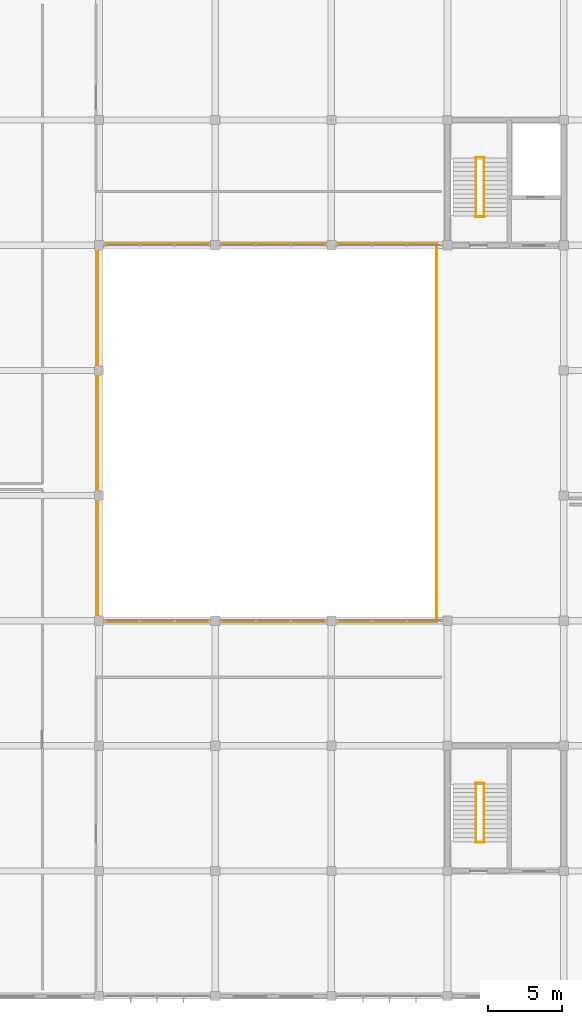
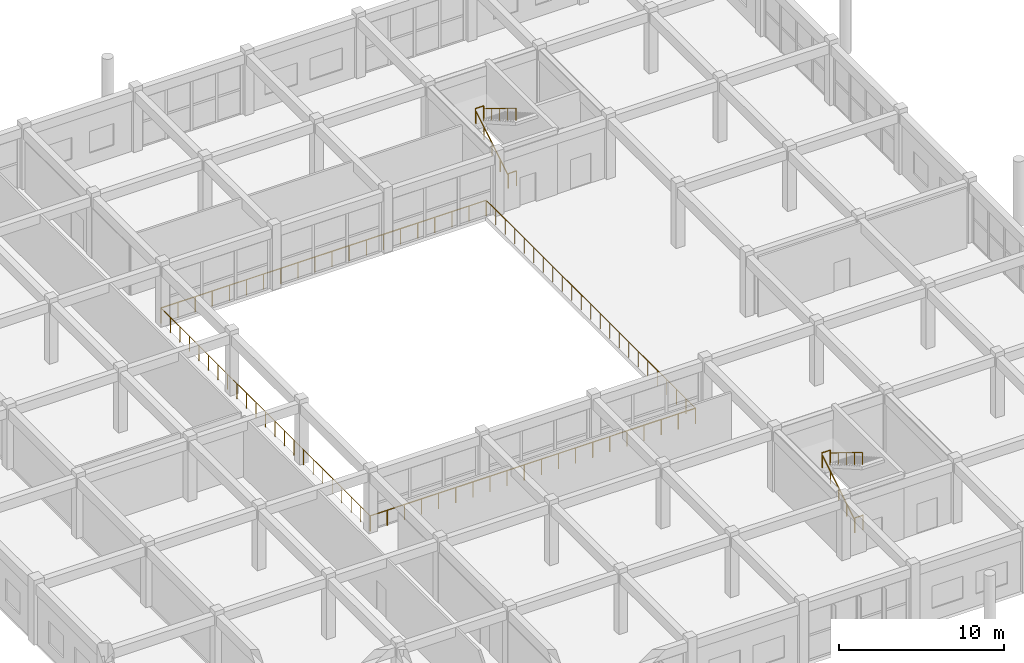
# One storey, part 167 of 167: 12 railings.
"""IFC4 building model written with IfcOpenShell, lengths in metres."""

import ifcopenshell
import ifcopenshell.guid

model = None  # the IFC model being written
_history = None  # IfcOwnerHistory: only IFC2X3 demands one
_inside = {}  # id of a spatial element -> (the spatial element, [elements in it])
_under = {}  # id of a project, library or spatial element -> (it, [spatial elements below it])
_declared = {}  # id of a project -> (the project, [libraries it declares])
_typed = {}  # id of a type object -> (the type object, [elements of that type])
_made_of = {}  # id of a material, layer set ... -> (it, [elements and type objects made of it])


def new_model(schema):
    """Start an empty IFC model of exactly this schema.

    Asked for "IFC4X3", IfcOpenShell would pick the latest addendum, in which some entities
    have other attributes; the version numbers below select the first issue.
    IFC2X3 requires an IfcOwnerHistory on every rooted entity: one is made here for all.
    """
    global model, _history
    if schema == "IFC4X3":
        model = ifcopenshell.file(schema_version=(4, 3, 0, 0))
    else:
        model = ifcopenshell.file(schema=schema)
    _inside.clear()
    _under.clear()
    _declared.clear()
    _typed.clear()
    _made_of.clear()
    _history = None
    if model.schema == "IFC2X3":
        org = make("IfcOrganization", Name="unknown")
        user = make(
            "IfcPersonAndOrganization",
            ThePerson=make("IfcPerson", FamilyName="unknown"),
            TheOrganization=org,
        )
        app = make(
            "IfcApplication",
            ApplicationDeveloper=org,
            Version="unknown",
            ApplicationFullName="unknown",
            ApplicationIdentifier="unknown",
        )
        _history = make(
            "IfcOwnerHistory",
            OwningUser=user,
            OwningApplication=app,
            ChangeAction="ADDED",
            CreationDate=0,
        )
    return model


def make(cls, **values):
    """One entity of the class cls with the attributes given. An attribute that is None is left unset."""
    return model.create_entity(
        cls, **{name: value for name, value in values.items() if value is not None}
    )


def rooted(cls, **values):
    """An entity with a GlobalId (a new one), such as an element, a storey or a relation."""
    return make(cls, GlobalId=ifcopenshell.guid.new(), OwnerHistory=_history, **values)


def si_unit(unit_type, name, prefix=None):
    """IfcSIUnit, for example si_unit("LENGTHUNIT", "METRE", prefix="MILLI")."""
    return make("IfcSIUnit", UnitType=unit_type, Prefix=prefix, Name=name)


def assignment(units):
    """IfcUnitAssignment: the units of a project."""
    return None if units is None else make("IfcUnitAssignment", Units=units)


def point(xyz):
    """IfcCartesianPoint."""
    return None if xyz is None else make("IfcCartesianPoint", Coordinates=xyz)


def direction(xyz):
    """IfcDirection."""
    return None if xyz is None else make("IfcDirection", DirectionRatios=xyz)


def frame(location, z_axis=None, x_axis=None):
    """IfcAxis2Placement3D, a coordinate frame: its origin and axes. An axis left out is left unset."""
    return make(
        "IfcAxis2Placement3D",
        Location=point(location),
        Axis=direction(z_axis),
        RefDirection=direction(x_axis),
    )


def frame_2d(location, x_axis=None):
    """IfcAxis2Placement2D, a coordinate frame in the plane: its origin and x axis."""
    return make(
        "IfcAxis2Placement2D", Location=point(location), RefDirection=direction(x_axis)
    )


def origin():
    """The frame at (0, 0, 0) with its axes left unset."""
    return frame((0.0, 0.0, 0.0))


def origin_2d():
    """The frame at (0, 0) in the plane with its x axis left unset."""
    return frame_2d((0.0, 0.0))


def place(relative_to, where):
    """IfcLocalPlacement: puts the frame where relative to a parent placement (None: the world)."""
    return make(
        "IfcLocalPlacement", PlacementRelTo=relative_to, RelativePlacement=where
    )


def context(
    kind, dimensions, precision=None, world=None, true_north=None, identifier=None
):
    """IfcGeometricRepresentationContext, for example the 3D "Model" context."""
    return make(
        "IfcGeometricRepresentationContext",
        ContextIdentifier=identifier,
        ContextType=kind,
        CoordinateSpaceDimension=dimensions,
        Precision=precision,
        WorldCoordinateSystem=world,
        TrueNorth=true_north,
    )


def subcontext(parent, identifier, kind, view, scale=None):
    """IfcGeometricRepresentationSubContext, for example "Body" below "Model"."""
    return make(
        "IfcGeometricRepresentationSubContext",
        ContextIdentifier=identifier,
        ContextType=kind,
        ParentContext=parent,
        TargetScale=scale,
        TargetView=view,
    )


def project(units=None, contexts=None):
    """IfcProject with its units and contexts."""
    return rooted(
        "IfcProject",
        Name="project",
        RepresentationContexts=contexts,
        UnitsInContext=assignment(units),
    )


def spatial(cls, under=None, at=None, **own):
    """A site, building, storey or space (cls), placed at a placement, below another one or the project."""
    s = rooted(cls, ObjectPlacement=at, **own)
    if under is not None:
        _under.setdefault(under.id(), (under, []))[1].append(s)
    return s


def profile(cls, at=None, kind="AREA", **sizes):
    """A parametric profile (cls). Its sizes go by their IFC names, for example OverallWidth=200.0."""
    return make(cls, ProfileType=kind, Position=at, **sizes)


def hollow_rectangle(**sizes):
    """IfcRectangleHollowProfileDef."""
    return profile("IfcRectangleHollowProfileDef", **sizes)


def circle(**sizes):
    """IfcCircleProfileDef."""
    return profile("IfcCircleProfileDef", **sizes)


def hollow_circle(**sizes):
    """IfcCircleHollowProfileDef."""
    return profile("IfcCircleHollowProfileDef", **sizes)


def extrude(swept, where, along, depth):
    """IfcExtrudedAreaSolid: the profile swept, set in the frame where, extruded along a direction by depth."""
    return make(
        "IfcExtrudedAreaSolid",
        SweptArea=swept,
        Position=where,
        ExtrudedDirection=direction(along),
        Depth=depth,
    )


def shape(context_of_items, identifier, shape_type, items):
    """IfcShapeRepresentation: the items that make up one representation, for example the "Body"."""
    return make(
        "IfcShapeRepresentation",
        ContextOfItems=context_of_items,
        RepresentationIdentifier=identifier,
        RepresentationType=shape_type,
        Items=items,
    )


def material(Name=None, Category=None):
    """IfcMaterial."""
    return make("IfcMaterial", Name=Name, Category=Category)


def material_profile(
    of_material, cross_section, Name=None, Category=None, Priority=None
):
    """IfcMaterialProfile: a cross section and its material."""
    return make(
        "IfcMaterialProfile",
        Name=Name,
        Material=of_material,
        Profile=cross_section,
        Priority=Priority,
        Category=Category,
    )


def profile_set(profiles, Name=None, composite=None):
    """IfcMaterialProfileSet."""
    return make(
        "IfcMaterialProfileSet",
        Name=Name,
        MaterialProfiles=profiles,
        CompositeProfile=composite,
    )


def made_of(thing, what):
    """Note that an element or type object is made of a material, layer set ...; save() writes the relation."""
    if what is not None:
        _made_of.setdefault(what.id(), (what, []))[1].append(thing)
    return thing


def type_object(cls, material=None, **own):
    """A type object (cls), such as IfcWallType, which elements share."""
    return made_of(rooted(cls, **own), material)


def element(
    cls,
    number,
    at=None,
    inside=None,
    cuts=None,
    type_object=None,
    material=None,
    context=None,
    identifier="Body",
    shape_type=None,
    held_by="IfcProductDefinitionShape",
    body=None,
    shapes=None,
    **own,
):
    """One element of the class cls, such as IfcWall. Its Tag is "e" and its number.

    at: its placement. inside: the storey or other place that contains it. cuts: it is an
    opening in that element (IfcRelVoidsElement). A single representation is given by context,
    identifier, shape_type and body (its items); several are given by shapes. held_by: the class
    of the entity that holds the representations. save() writes the other relations.
    """
    e = rooted(cls, Tag="e%d" % number, ObjectPlacement=at, **own)
    if body is not None:
        shapes = [shape(context, identifier, shape_type, body)]
    if shapes is not None:
        e.Representation = make(held_by, Representations=shapes)
    if inside is not None:
        _inside.setdefault(inside.id(), (inside, []))[1].append(e)
    if cuts is not None:
        rooted(
            "IfcRelVoidsElement", RelatingBuildingElement=cuts, RelatedOpeningElement=e
        )
    if type_object is not None:
        _typed.setdefault(type_object.id(), (type_object, []))[1].append(e)
    return made_of(e, material)


def aggregate(whole, parts):
    """IfcRelAggregates: a whole, such as a stair, and the parts it consists of."""
    return rooted("IfcRelAggregates", RelatingObject=whole, RelatedObjects=parts)


def save(model, path):
    """Write the relations noted so far, then the file.

    IfcRelAggregates (storeys below a building ...), IfcRelContainedInSpatialStructure (elements
    in a storey), IfcRelDefinesByType, IfcRelAssociatesMaterial and IfcRelDeclares: one each for
    every whole, place, type object, material and project.
    """
    for whole, parts in _under.values():
        aggregate(whole, parts)
    for where, things in _inside.values():
        rooted(
            "IfcRelContainedInSpatialStructure",
            RelatedElements=things,
            RelatingStructure=where,
        )
    for kind, things in _typed.values():
        rooted("IfcRelDefinesByType", RelatedObjects=things, RelatingType=kind)
    for what, things in _made_of.values():
        rooted("IfcRelAssociatesMaterial", RelatedObjects=things, RelatingMaterial=what)
    for by, libraries in _declared.values():
        rooted("IfcRelDeclares", RelatingContext=by, RelatedDefinitions=libraries)
    model.write(path)


model = new_model("IFC4")

# Units and contexts
model_context = context("Model", 3, precision=1e-05, world=origin(), true_north=direction((0.0, 1.0)))
body_context = subcontext(model_context, "Body", "Model", "MODEL_VIEW")
ifc_project = project(units=[si_unit("LENGTHUNIT", "METRE"), si_unit("AREAUNIT", "SQUARE_METRE"), si_unit("VOLUMEUNIT", "CUBIC_METRE"), si_unit("PLANEANGLEUNIT", "RADIAN"), si_unit("MASSUNIT", "GRAM", prefix="KILO")], contexts=[model_context])

# Site, building, storey
site_placement = place(None, origin())
site = spatial("IfcSite", under=ifc_project, at=site_placement, CompositionType="ELEMENT")
building_placement = place(site_placement, origin())
building = spatial("IfcBuilding", under=site, at=building_placement, Name="Zizhar Promenade General Hospital", CompositionType="ELEMENT")
storey_placement = place(building_placement, frame((0.0, 0.0, 9.60009765625)))
storey = spatial("IfcBuildingStorey", under=building, at=storey_placement, Name="L02", CompositionType="ELEMENT", Elevation=9.60009765625)

# Railings
ifc_material_1 = material(Name="Steel S355", Category="steel")
ifc_material_profile_1 = material_profile(ifc_material_1, hollow_rectangle(XDim=0.06005859375, YDim=0.1201171875, WallThickness=0.00390625, at=origin_2d()))
ifc_profile_set_1 = profile_set([ifc_material_profile_1], Name="Steel S355")
railing_type_1 = type_object("IfcRailingType", Name="RL-GUARD-EXT-1150", PredefinedType="GUARDRAIL", material=ifc_profile_set_1)
railing_1_placement = place(storey_placement, frame((148.1201171875, 67.1201171875, 0.0)))
element("IfcRailing", 1, at=railing_1_placement, inside=storey, type_object=railing_type_1, Name="Perimeter Safety Guardrail L02-01", PredefinedType="GUARDRAIL", context=body_context, shape_type="SweptSolid", body=[
    extrude(circle(Radius=0.02392578125, at=origin_2d()), frame((0.0, 0.0, 1.1259765625), z_axis=(1.0, 0.0, 0.0), x_axis=(0.0, 1.0, 0.0)), (0.0, 0.0, 1.0), 22.759765625),
    extrude(circle(Radius=0.02099609375, at=origin_2d()), origin(), (0.0, 0.0, 1.0), 1.101806640625),
    extrude(circle(Radius=0.02099609375, at=origin_2d()), frame((1.197998046875, 0.0, 0.0)), (0.0, 0.0, 1.0), 1.101806640625),
    extrude(circle(Radius=0.02099609375, at=origin_2d()), frame((2.395751953125, 0.0, 0.0)), (0.0, 0.0, 1.0), 1.101806640625),
    extrude(circle(Radius=0.02099609375, at=origin_2d()), frame((3.59375, 0.0, 0.0)), (0.0, 0.0, 1.0), 1.101806640625),
    extrude(circle(Radius=0.02099609375, at=origin_2d()), frame((4.79150390625, 0.0, 0.0)), (0.0, 0.0, 1.0), 1.101806640625),
    extrude(circle(Radius=0.02099609375, at=origin_2d()), frame((5.989501953125, 0.0, 0.0)), (0.0, 0.0, 1.0), 1.101806640625),
    extrude(circle(Radius=0.02099609375, at=origin_2d()), frame((7.187255859375, 0.0, 0.0)), (0.0, 0.0, 1.0), 1.101806640625),
    extrude(circle(Radius=0.02099609375, at=origin_2d()), frame((8.38525390625, 0.0, 0.0)), (0.0, 0.0, 1.0), 1.101806640625),
    extrude(circle(Radius=0.02099609375, at=origin_2d()), frame((9.5830078125, 0.0, 0.0)), (0.0, 0.0, 1.0), 1.101806640625),
    extrude(circle(Radius=0.02099609375, at=origin_2d()), frame((10.781005859375, 0.0, 0.0)), (0.0, 0.0, 1.0), 1.101806640625),
    extrude(circle(Radius=0.02099609375, at=origin_2d()), frame((11.978759765625, 0.0, 0.0)), (0.0, 0.0, 1.0), 1.101806640625),
    extrude(circle(Radius=0.02099609375, at=origin_2d()), frame((13.1767578125, 0.0, 0.0)), (0.0, 0.0, 1.0), 1.101806640625),
    extrude(circle(Radius=0.02099609375, at=origin_2d()), frame((14.37451171875, 0.0, 0.0)), (0.0, 0.0, 1.0), 1.101806640625),
    extrude(circle(Radius=0.02099609375, at=origin_2d()), frame((15.572509765625, 0.0, 0.0)), (0.0, 0.0, 1.0), 1.101806640625),
    extrude(circle(Radius=0.02099609375, at=origin_2d()), frame((16.770263671875, 0.0, 0.0)), (0.0, 0.0, 1.0), 1.101806640625),
    extrude(circle(Radius=0.02099609375, at=origin_2d()), frame((17.96826171875, 0.0, 0.0)), (0.0, 0.0, 1.0), 1.101806640625),
    extrude(circle(Radius=0.02099609375, at=origin_2d()), frame((19.166015625, 0.0, 0.0)), (0.0, 0.0, 1.0), 1.101806640625),
    extrude(circle(Radius=0.02099609375, at=origin_2d()), frame((20.364013671875, 0.0, 0.0)), (0.0, 0.0, 1.0), 1.101806640625),
    extrude(circle(Radius=0.02099609375, at=origin_2d()), frame((21.561767578125, 0.0, 0.0)), (0.0, 0.0, 1.0), 1.101806640625),
    extrude(circle(Radius=0.02099609375, at=origin_2d()), frame((22.759765625, 0.0, 0.0)), (0.0, 0.0, 1.0), 1.101806640625),
])
railing_2_placement = place(storey_placement, frame((170.8798828125, 67.1201171875, 0.0)))
element("IfcRailing", 2, at=railing_2_placement, inside=storey, type_object=railing_type_1, Name="Perimeter Safety Guardrail L02-02", PredefinedType="GUARDRAIL", context=body_context, shape_type="SweptSolid", body=[
    extrude(circle(Radius=0.02392578125, at=origin_2d()), frame((0.0, 0.0, 1.1259765625), z_axis=(0.0, 1.0, 0.0), x_axis=(-1.0, 0.0, 0.0)), (0.0, 0.0, 1.0), 25.35986328125),
    extrude(circle(Radius=0.02099609375, at=origin_2d()), origin(), (0.0, 0.0, 1.0), 1.101806640625),
    extrude(circle(Radius=0.02099609375, at=origin_2d()), frame((0.0, 1.15283203125, 0.0)), (0.0, 0.0, 1.0), 1.101806640625),
    extrude(circle(Radius=0.02099609375, at=origin_2d()), frame((0.0, 2.305419921875, 0.0)), (0.0, 0.0, 1.0), 1.101806640625),
    extrude(circle(Radius=0.02099609375, at=origin_2d()), frame((0.0, 3.458251953125, 0.0)), (0.0, 0.0, 1.0), 1.101806640625),
    extrude(circle(Radius=0.02099609375, at=origin_2d()), frame((0.0, 4.61083984375, 0.0)), (0.0, 0.0, 1.0), 1.101806640625),
    extrude(circle(Radius=0.02099609375, at=origin_2d()), frame((0.0, 5.763671875, 0.0)), (0.0, 0.0, 1.0), 1.101806640625),
    extrude(circle(Radius=0.02099609375, at=origin_2d()), frame((0.0, 6.916259765625, 0.0)), (0.0, 0.0, 1.0), 1.101806640625),
    extrude(circle(Radius=0.02099609375, at=origin_2d()), frame((0.0, 8.069091796875, 0.0)), (0.0, 0.0, 1.0), 1.101806640625),
    extrude(circle(Radius=0.02099609375, at=origin_2d()), frame((0.0, 9.2216796875, 0.0)), (0.0, 0.0, 1.0), 1.101806640625),
    extrude(circle(Radius=0.02099609375, at=origin_2d()), frame((0.0, 10.37451171875, 0.0)), (0.0, 0.0, 1.0), 1.101806640625),
    extrude(circle(Radius=0.02099609375, at=origin_2d()), frame((0.0, 11.527099609375, 0.0)), (0.0, 0.0, 1.0), 1.101806640625),
    extrude(circle(Radius=0.02099609375, at=origin_2d()), frame((0.0, 12.679931640625, 0.0)), (0.0, 0.0, 1.0), 1.101806640625),
    extrude(circle(Radius=0.02099609375, at=origin_2d()), frame((0.0, 13.832763671875, 0.0)), (0.0, 0.0, 1.0), 1.101806640625),
    extrude(circle(Radius=0.02099609375, at=origin_2d()), frame((0.0, 14.9853515625, 0.0)), (0.0, 0.0, 1.0), 1.101806640625),
    extrude(circle(Radius=0.02099609375, at=origin_2d()), frame((0.0, 16.13818359375, 0.0)), (0.0, 0.0, 1.0), 1.101806640625),
    extrude(circle(Radius=0.02099609375, at=origin_2d()), frame((0.0, 17.290771484375, 0.0)), (0.0, 0.0, 1.0), 1.101806640625),
    extrude(circle(Radius=0.02099609375, at=origin_2d()), frame((0.0, 18.443603515625, 0.0)), (0.0, 0.0, 1.0), 1.101806640625),
    extrude(circle(Radius=0.02099609375, at=origin_2d()), frame((0.0, 19.59619140625, 0.0)), (0.0, 0.0, 1.0), 1.101806640625),
    extrude(circle(Radius=0.02099609375, at=origin_2d()), frame((0.0, 20.7490234375, 0.0)), (0.0, 0.0, 1.0), 1.101806640625),
    extrude(circle(Radius=0.02099609375, at=origin_2d()), frame((0.0, 21.901611328125, 0.0)), (0.0, 0.0, 1.0), 1.101806640625),
    extrude(circle(Radius=0.02099609375, at=origin_2d()), frame((0.0, 23.054443359375, 0.0)), (0.0, 0.0, 1.0), 1.101806640625),
    extrude(circle(Radius=0.02099609375, at=origin_2d()), frame((0.0, 24.20703125, 0.0)), (0.0, 0.0, 1.0), 1.101806640625),
    extrude(circle(Radius=0.02099609375, at=origin_2d()), frame((0.0, 25.35986328125, 0.0)), (0.0, 0.0, 1.0), 1.101806640625),
])
railing_3_placement = place(storey_placement, frame((170.8798828125, 92.47998046875, 0.0)))
element("IfcRailing", 3, at=railing_3_placement, inside=storey, type_object=railing_type_1, Name="Perimeter Safety Guardrail L02-03", PredefinedType="GUARDRAIL", context=body_context, shape_type="SweptSolid", body=[
    extrude(circle(Radius=0.02392578125, at=origin_2d()), frame((0.0, 0.0, 1.1259765625), z_axis=(-1.0, 0.0, 0.0), x_axis=(0.0, -1.0, 0.0)), (0.0, 0.0, 1.0), 22.759765625),
    extrude(circle(Radius=0.02099609375, at=origin_2d()), origin(), (0.0, 0.0, 1.0), 1.101806640625),
    extrude(circle(Radius=0.02099609375, at=origin_2d()), frame((-1.197998046875, 0.0, 0.0)), (0.0, 0.0, 1.0), 1.101806640625),
    extrude(circle(Radius=0.02099609375, at=origin_2d()), frame((-2.395751953125, 0.0, 0.0)), (0.0, 0.0, 1.0), 1.101806640625),
    extrude(circle(Radius=0.02099609375, at=origin_2d()), frame((-3.59375, 0.0, 0.0)), (0.0, 0.0, 1.0), 1.101806640625),
    extrude(circle(Radius=0.02099609375, at=origin_2d()), frame((-4.79150390625, 0.0, 0.0)), (0.0, 0.0, 1.0), 1.101806640625),
    extrude(circle(Radius=0.02099609375, at=origin_2d()), frame((-5.989501953125, 0.0, 0.0)), (0.0, 0.0, 1.0), 1.101806640625),
    extrude(circle(Radius=0.02099609375, at=origin_2d()), frame((-7.187255859375, 0.0, 0.0)), (0.0, 0.0, 1.0), 1.101806640625),
    extrude(circle(Radius=0.02099609375, at=origin_2d()), frame((-8.38525390625, 0.0, 0.0)), (0.0, 0.0, 1.0), 1.101806640625),
    extrude(circle(Radius=0.02099609375, at=origin_2d()), frame((-9.5830078125, 0.0, 0.0)), (0.0, 0.0, 1.0), 1.101806640625),
    extrude(circle(Radius=0.02099609375, at=origin_2d()), frame((-10.781005859375, 0.0, 0.0)), (0.0, 0.0, 1.0), 1.101806640625),
    extrude(circle(Radius=0.02099609375, at=origin_2d()), frame((-11.978759765625, 0.0, 0.0)), (0.0, 0.0, 1.0), 1.101806640625),
    extrude(circle(Radius=0.02099609375, at=origin_2d()), frame((-13.1767578125, 0.0, 0.0)), (0.0, 0.0, 1.0), 1.101806640625),
    extrude(circle(Radius=0.02099609375, at=origin_2d()), frame((-14.37451171875, 0.0, 0.0)), (0.0, 0.0, 1.0), 1.101806640625),
    extrude(circle(Radius=0.02099609375, at=origin_2d()), frame((-15.572509765625, 0.0, 0.0)), (0.0, 0.0, 1.0), 1.101806640625),
    extrude(circle(Radius=0.02099609375, at=origin_2d()), frame((-16.770263671875, 0.0, 0.0)), (0.0, 0.0, 1.0), 1.101806640625),
    extrude(circle(Radius=0.02099609375, at=origin_2d()), frame((-17.96826171875, 0.0, 0.0)), (0.0, 0.0, 1.0), 1.101806640625),
    extrude(circle(Radius=0.02099609375, at=origin_2d()), frame((-19.166015625, 0.0, 0.0)), (0.0, 0.0, 1.0), 1.101806640625),
    extrude(circle(Radius=0.02099609375, at=origin_2d()), frame((-20.364013671875, 0.0, 0.0)), (0.0, 0.0, 1.0), 1.101806640625),
    extrude(circle(Radius=0.02099609375, at=origin_2d()), frame((-21.561767578125, 0.0, 0.0)), (0.0, 0.0, 1.0), 1.101806640625),
    extrude(circle(Radius=0.02099609375, at=origin_2d()), frame((-22.759765625, 0.0, 0.0)), (0.0, 0.0, 1.0), 1.101806640625),
])
railing_4_placement = place(storey_placement, frame((148.1201171875, 92.47998046875, 0.0)))
element("IfcRailing", 4, at=railing_4_placement, inside=storey, type_object=railing_type_1, Name="Perimeter Safety Guardrail L02-04", PredefinedType="GUARDRAIL", context=body_context, shape_type="SweptSolid", body=[
    extrude(circle(Radius=0.02392578125, at=origin_2d()), frame((0.0, 0.0, 1.1259765625), z_axis=(0.0, -1.0, 0.0), x_axis=(1.0, 0.0, 0.0)), (0.0, 0.0, 1.0), 25.35986328125),
    extrude(circle(Radius=0.02099609375, at=origin_2d()), origin(), (0.0, 0.0, 1.0), 1.101806640625),
    extrude(circle(Radius=0.02099609375, at=origin_2d()), frame((0.0, -1.15283203125, 0.0)), (0.0, 0.0, 1.0), 1.101806640625),
    extrude(circle(Radius=0.02099609375, at=origin_2d()), frame((0.0, -2.305419921875, 0.0)), (0.0, 0.0, 1.0), 1.101806640625),
    extrude(circle(Radius=0.02099609375, at=origin_2d()), frame((0.0, -3.458251953125, 0.0)), (0.0, 0.0, 1.0), 1.101806640625),
    extrude(circle(Radius=0.02099609375, at=origin_2d()), frame((0.0, -4.61083984375, 0.0)), (0.0, 0.0, 1.0), 1.101806640625),
    extrude(circle(Radius=0.02099609375, at=origin_2d()), frame((0.0, -5.763671875, 0.0)), (0.0, 0.0, 1.0), 1.101806640625),
    extrude(circle(Radius=0.02099609375, at=origin_2d()), frame((0.0, -6.916259765625, 0.0)), (0.0, 0.0, 1.0), 1.101806640625),
    extrude(circle(Radius=0.02099609375, at=origin_2d()), frame((0.0, -8.069091796875, 0.0)), (0.0, 0.0, 1.0), 1.101806640625),
    extrude(circle(Radius=0.02099609375, at=origin_2d()), frame((0.0, -9.2216796875, 0.0)), (0.0, 0.0, 1.0), 1.101806640625),
    extrude(circle(Radius=0.02099609375, at=origin_2d()), frame((0.0, -10.37451171875, 0.0)), (0.0, 0.0, 1.0), 1.101806640625),
    extrude(circle(Radius=0.02099609375, at=origin_2d()), frame((0.0, -11.527099609375, 0.0)), (0.0, 0.0, 1.0), 1.101806640625),
    extrude(circle(Radius=0.02099609375, at=origin_2d()), frame((0.0, -12.679931640625, 0.0)), (0.0, 0.0, 1.0), 1.101806640625),
    extrude(circle(Radius=0.02099609375, at=origin_2d()), frame((0.0, -13.832763671875, 0.0)), (0.0, 0.0, 1.0), 1.101806640625),
    extrude(circle(Radius=0.02099609375, at=origin_2d()), frame((0.0, -14.9853515625, 0.0)), (0.0, 0.0, 1.0), 1.101806640625),
    extrude(circle(Radius=0.02099609375, at=origin_2d()), frame((0.0, -16.13818359375, 0.0)), (0.0, 0.0, 1.0), 1.101806640625),
    extrude(circle(Radius=0.02099609375, at=origin_2d()), frame((0.0, -17.290771484375, 0.0)), (0.0, 0.0, 1.0), 1.101806640625),
    extrude(circle(Radius=0.02099609375, at=origin_2d()), frame((0.0, -18.443603515625, 0.0)), (0.0, 0.0, 1.0), 1.101806640625),
    extrude(circle(Radius=0.02099609375, at=origin_2d()), frame((0.0, -19.59619140625, 0.0)), (0.0, 0.0, 1.0), 1.101806640625),
    extrude(circle(Radius=0.02099609375, at=origin_2d()), frame((0.0, -20.7490234375, 0.0)), (0.0, 0.0, 1.0), 1.101806640625),
    extrude(circle(Radius=0.02099609375, at=origin_2d()), frame((0.0, -21.901611328125, 0.0)), (0.0, 0.0, 1.0), 1.101806640625),
    extrude(circle(Radius=0.02099609375, at=origin_2d()), frame((0.0, -23.054443359375, 0.0)), (0.0, 0.0, 1.0), 1.101806640625),
    extrude(circle(Radius=0.02099609375, at=origin_2d()), frame((0.0, -24.20703125, 0.0)), (0.0, 0.0, 1.0), 1.101806640625),
    extrude(circle(Radius=0.02099609375, at=origin_2d()), frame((0.0, -25.35986328125, 0.0)), (0.0, 0.0, 1.0), 1.101806640625),
])
ifc_material_2 = material(Name="Anodised aluminium 6063-T6", Category="aluminium")
ifc_material_profile_2 = material_profile(ifc_material_2, hollow_circle(Radius=0.06982421875, WallThickness=0.00634765625, at=origin_2d()))
ifc_profile_set_2 = profile_set([ifc_material_profile_2], Name="Anodised aluminium 6063-T6")
railing_type_2 = type_object("IfcRailingType", Name="RL-HANDRAIL-920", PredefinedType="HANDRAIL", material=ifc_profile_set_2)
railing_5_placement = place(storey_placement, frame((173.5, 94.35009765625, 0.0)))
element("IfcRailing", 5, at=railing_5_placement, inside=storey, type_object=railing_type_2, Name="Stair ST-08 Flight 1 Handrail (L02)", PredefinedType="HANDRAIL", context=body_context, shape_type="SweptSolid", body=[
    extrude(circle(Radius=0.02392578125, at=origin_2d()), frame((0.0, 0.0, 0.89599609375), z_axis=(0.0, 0.851661977835, 0.524091476281), x_axis=(-1.0, 0.0, 0.0)), (0.0, 0.0, 1.0), 4.5791015625),
    extrude(circle(Radius=0.02099609375, at=origin_2d()), origin(), (0.0, 0.0, 1.0), 0.871826171875),
    extrude(circle(Radius=0.02099609375, at=origin_2d()), frame((0.0, 0.97509765625, 0.60009765625)), (0.0, 0.0, 1.0), 0.871826171875),
    extrude(circle(Radius=0.02099609375, at=origin_2d()), frame((0.0, 1.949951171875, 1.199951171875)), (0.0, 0.0, 1.0), 0.871826171875),
    extrude(circle(Radius=0.02099609375, at=origin_2d()), frame((0.0, 2.9248046875, 1.7998046875)), (0.0, 0.0, 1.0), 0.871826171875),
    extrude(circle(Radius=0.02099609375, at=origin_2d()), frame((0.0, 3.89990234375, 2.39990234375)), (0.0, 0.0, 1.0), 0.871826171875),
])
railing_6_placement = place(storey_placement, frame((174.0400390625, 98.25, 2.39990234375)))
element("IfcRailing", 6, at=railing_6_placement, inside=storey, type_object=railing_type_2, Name="Stair ST-08 Flight 2 Handrail (L02)", PredefinedType="HANDRAIL", context=body_context, shape_type="SweptSolid", body=[
    extrude(circle(Radius=0.02392578125, at=origin_2d()), frame((0.0, 0.0, 0.89599609375), z_axis=(0.0, -0.851661977835, 0.524091476281), x_axis=(1.0, 0.0, 0.0)), (0.0, 0.0, 1.0), 4.5791015625),
    extrude(circle(Radius=0.02099609375, at=origin_2d()), origin(), (0.0, 0.0, 1.0), 0.871826171875),
    extrude(circle(Radius=0.02099609375, at=origin_2d()), frame((0.0, -0.97509765625, 0.60009765625)), (0.0, 0.0, 1.0), 0.871826171875),
    extrude(circle(Radius=0.02099609375, at=origin_2d()), frame((0.0, -1.949951171875, 1.199951171875)), (0.0, 0.0, 1.0), 0.871826171875),
    extrude(circle(Radius=0.02099609375, at=origin_2d()), frame((0.0, -2.9248046875, 1.7998046875)), (0.0, 0.0, 1.0), 0.871826171875),
    extrude(circle(Radius=0.02099609375, at=origin_2d()), frame((0.0, -3.89990234375, 2.39990234375)), (0.0, 0.0, 1.0), 0.871826171875),
])
railing_7_placement = place(storey_placement, frame((173.5, 52.35009765625, 0.0)))
element("IfcRailing", 7, at=railing_7_placement, inside=storey, type_object=railing_type_2, Name="Stair ST-09 Flight 1 Handrail (L02)", PredefinedType="HANDRAIL", context=body_context, shape_type="SweptSolid", body=[
    extrude(circle(Radius=0.02392578125, at=origin_2d()), frame((0.0, 0.0, 0.89599609375), z_axis=(0.0, 0.851661977835, 0.524091476281), x_axis=(-1.0, 0.0, 0.0)), (0.0, 0.0, 1.0), 4.5791015625),
    extrude(circle(Radius=0.02099609375, at=origin_2d()), origin(), (0.0, 0.0, 1.0), 0.871826171875),
    extrude(circle(Radius=0.02099609375, at=origin_2d()), frame((0.0, 0.97509765625, 0.60009765625)), (0.0, 0.0, 1.0), 0.871826171875),
    extrude(circle(Radius=0.02099609375, at=origin_2d()), frame((0.0, 1.949951171875, 1.199951171875)), (0.0, 0.0, 1.0), 0.871826171875),
    extrude(circle(Radius=0.02099609375, at=origin_2d()), frame((0.0, 2.9248046875, 1.7998046875)), (0.0, 0.0, 1.0), 0.871826171875),
    extrude(circle(Radius=0.02099609375, at=origin_2d()), frame((0.0, 3.89990234375, 2.39990234375)), (0.0, 0.0, 1.0), 0.871826171875),
])
railing_8_placement = place(storey_placement, frame((174.0400390625, 56.25, 2.39990234375)))
element("IfcRailing", 8, at=railing_8_placement, inside=storey, type_object=railing_type_2, Name="Stair ST-09 Flight 2 Handrail (L02)", PredefinedType="HANDRAIL", context=body_context, shape_type="SweptSolid", body=[
    extrude(circle(Radius=0.02392578125, at=origin_2d()), frame((0.0, 0.0, 0.89599609375), z_axis=(0.0, -0.851661977835, 0.524091476281), x_axis=(1.0, 0.0, 0.0)), (0.0, 0.0, 1.0), 4.5791015625),
    extrude(circle(Radius=0.02099609375, at=origin_2d()), origin(), (0.0, 0.0, 1.0), 0.871826171875),
    extrude(circle(Radius=0.02099609375, at=origin_2d()), frame((0.0, -0.97509765625, 0.60009765625)), (0.0, 0.0, 1.0), 0.871826171875),
    extrude(circle(Radius=0.02099609375, at=origin_2d()), frame((0.0, -1.949951171875, 1.199951171875)), (0.0, 0.0, 1.0), 0.871826171875),
    extrude(circle(Radius=0.02099609375, at=origin_2d()), frame((0.0, -2.9248046875, 1.7998046875)), (0.0, 0.0, 1.0), 0.871826171875),
    extrude(circle(Radius=0.02099609375, at=origin_2d()), frame((0.0, -3.89990234375, 2.39990234375)), (0.0, 0.0, 1.0), 0.871826171875),
])
ifc_material_3 = material(Name="Steel S355", Category="steel")
ifc_material_profile_3 = material_profile(ifc_material_3, hollow_circle(Radius=0.06982421875, WallThickness=0.00634765625, at=origin_2d()))
ifc_profile_set_3 = profile_set([ifc_material_profile_3], Name="Steel S355")
railing_type_3 = type_object("IfcRailingType", Name="RL-STAIR-GUARD-1100", PredefinedType="GUARDRAIL", material=ifc_profile_set_3)
for number, where, name in (
    (9, (173.47998046875, 98.2900390625, 2.39990234375), "Stair ST-08 Half-Landing Guard (L02)"),
    (10, (173.47998046875, 94.31005859375, 0.0), "Stair ST-08 Landing Well Guard (L02)"),
    (11, (173.47998046875, 56.2900390625, 2.39990234375), "Stair ST-09 Half-Landing Guard (L02)"),
    (12, (173.47998046875, 52.31005859375, 0.0), "Stair ST-09 Landing Well Guard (L02)"),
):
    element("IfcRailing", number, at=place(storey_placement, frame(where)), inside=storey, type_object=railing_type_3, Name=name, PredefinedType="GUARDRAIL", context=body_context, shape_type="SweptSolid", body=[
        extrude(circle(Radius=0.02392578125, at=origin_2d()), frame((0.0, 0.0, 1.076171875), z_axis=(1.0, 0.0, 0.0), x_axis=(0.0, 1.0, 0.0)), (0.0, 0.0, 1.0), 0.580078125),
        extrude(circle(Radius=0.02099609375, at=origin_2d()), origin(), (0.0, 0.0, 1.0), 1.052001953125),
        extrude(circle(Radius=0.02099609375, at=origin_2d()), frame((0.580078125, 0.0, 0.0)), (0.0, 0.0, 1.0), 1.052001953125),
    ])

save(model, "model.ifc")
